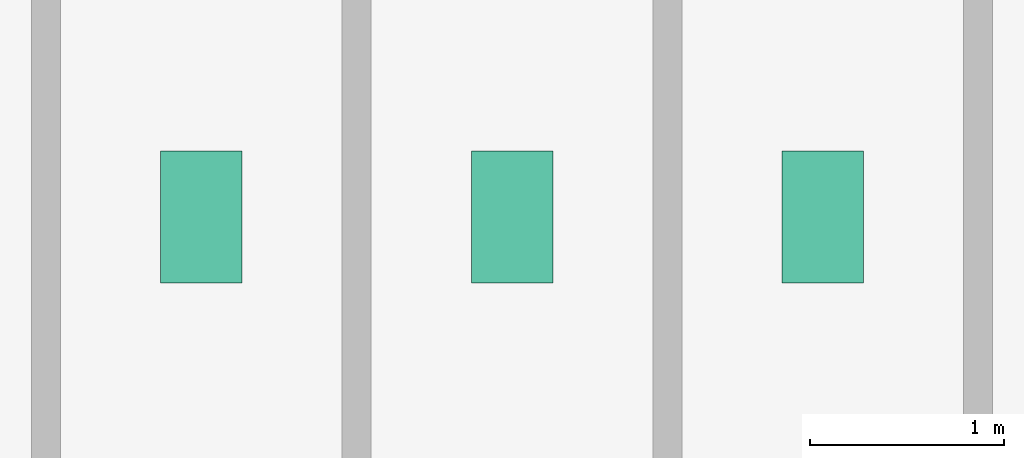
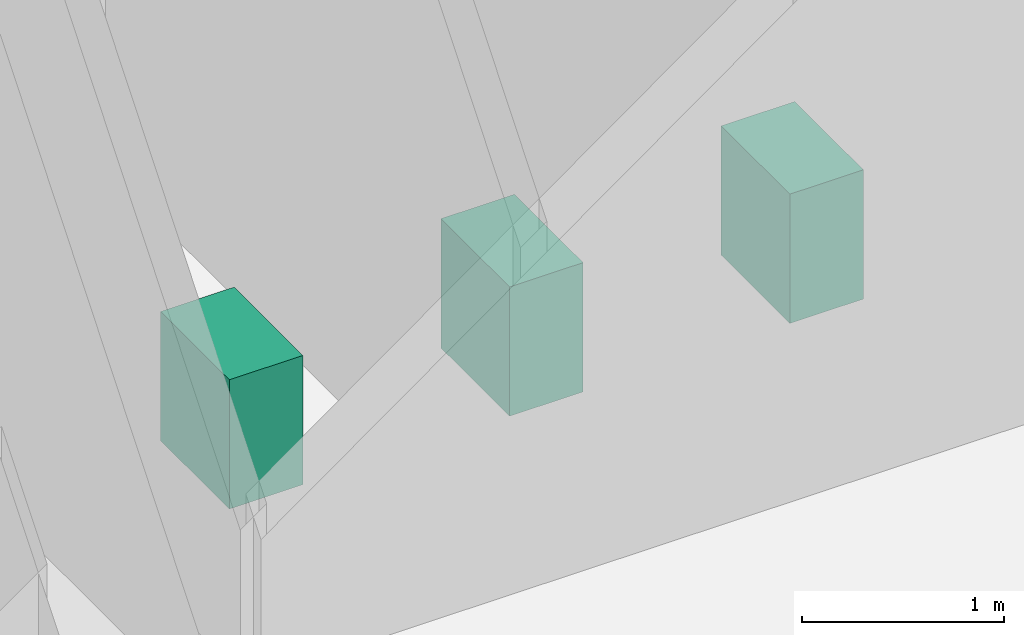
# One storey, part 22 of 22: 3 sanitary terminals.
"""IFC4 building model written with IfcOpenShell, lengths in metres."""

from ifc_helpers import new_model, si_unit, derived_unit, direction, frame, origin, origin_2d, place, context, subcontext, project, spatial, rectangle, extrude, source, transform, mapped, material, type_object, element, save


model = new_model("IFC4")

# Units and contexts
model_context = context("Model", 3, precision=1e-05, world=origin(), true_north=direction((0.0, 1.0)))
body_context = subcontext(model_context, "Body", "Model", "MODEL_VIEW")
ifc_project = project(units=[si_unit("LENGTHUNIT", "METRE"), si_unit("AREAUNIT", "SQUARE_METRE"), si_unit("VOLUMEUNIT", "CUBIC_METRE"), si_unit("PLANEANGLEUNIT", "RADIAN"), si_unit("MASSUNIT", "GRAM", prefix="KILO"), derived_unit("THERMALTRANSMITTANCEUNIT", [(si_unit("POWERUNIT", "WATT"), 1), (si_unit("LENGTHUNIT", "METRE"), -2), (si_unit("THERMODYNAMICTEMPERATUREUNIT", "KELVIN"), -1)])], contexts=[model_context])

# Site, building, storey
site_placement = place(None, origin())
site = spatial("IfcSite", under=ifc_project, at=site_placement, CompositionType="ELEMENT")
building_placement = place(site_placement, origin())
building = spatial("IfcBuilding", under=site, at=building_placement, Name="Skarnbrae Concourse Arena and Tower", CompositionType="ELEMENT")
storey_placement = place(building_placement, frame((0.0, 0.0, 217.800048828125)))
storey = spatial("IfcBuildingStorey", under=building, at=storey_placement, Name="L56", CompositionType="ELEMENT", Elevation=217.800048828125)

# Sanitary terminals
ifc_material = material(Name="Vitreous china sanitaryware", Category="other")
sanitary_terminal_type = type_object("IfcSanitaryTerminalType", Name="SAN-WC-VITREOUS", PredefinedType="TOILETPAN", material=ifc_material)
shared_shape = source(origin(), body_context, "Body", "SweptSolid", [
    extrude(rectangle(XDim=0.419921875, YDim=0.679931640625, at=origin_2d()), origin(), (0.0, 0.0, 1.0), 0.780029296875),
])
for number, where, z_axis, x_axis, name in (
    (1, (35.0, 11.39990234375, 0.0), (0.0, 0.0, 1.0), (1.0, 0.0, 0.0), "L56 Washroom WC fixture 1"),
    (2, (36.60009765625, 11.39990234375, 0.0), (0.0, 0.0, 1.0), (1.0, 0.0, 0.0), "L56 Washroom WC fixture 2"),
    (3, (38.199951171875, 11.39990234375, 0.0), (0.0, 0.0, 1.0), (1.0, 0.0, 0.0), "L56 Washroom WC fixture 3"),
):
    element("IfcSanitaryTerminal", number, at=place(storey_placement, frame(where, z_axis=z_axis, x_axis=x_axis)), inside=storey, type_object=sanitary_terminal_type, Name=name, PredefinedType="TOILETPAN", context=body_context, shape_type="MappedRepresentation", body=[
        mapped(shared_shape, transform((0.0, 0.0, 0.0))),
    ])

save(model, "model.ifc")
